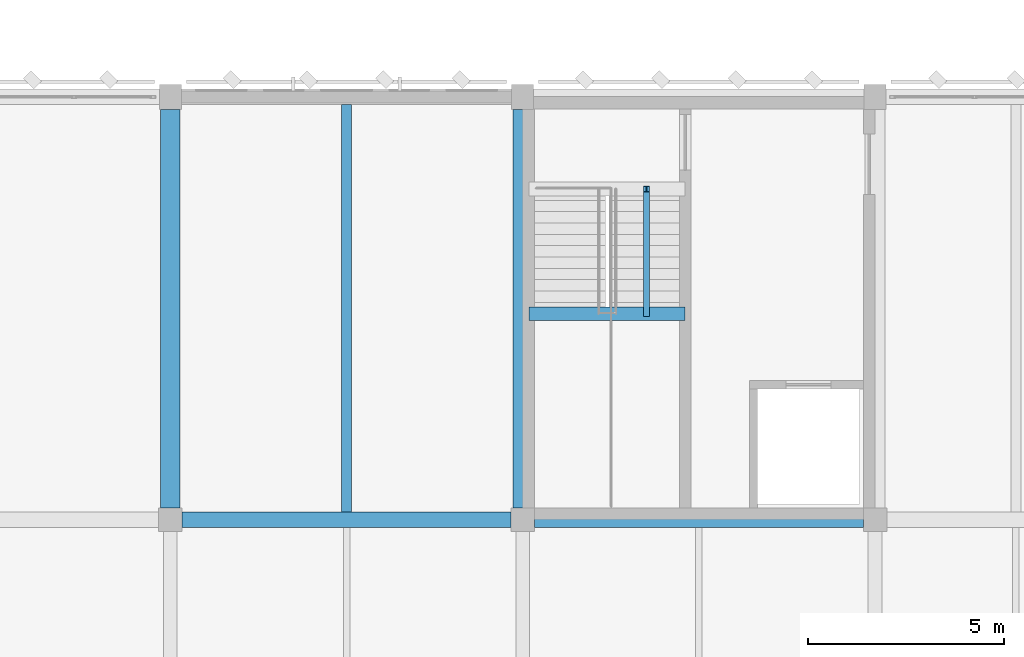
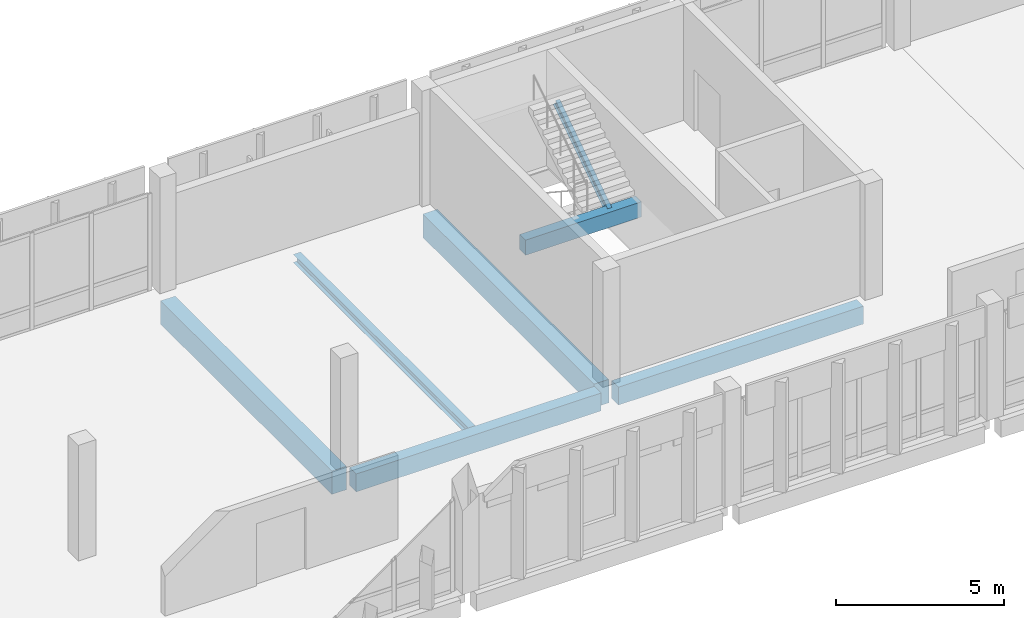
# One storey, part 66 of 158: 7 beams.
"""IFC4 building model written with IfcOpenShell, lengths in metres."""

from ifc_helpers import new_model, si_unit, direction, frame, origin, origin_2d, place, context, subcontext, project, spatial, rectangle, i_section, extrude, material, material_profile, profile_set, type_object, element, save


model = new_model("IFC4")

# Units and contexts
model_context = context("Model", 3, precision=1e-05, world=origin(), true_north=direction((0.0, 1.0)))
body_context = subcontext(model_context, "Body", "Model", "MODEL_VIEW")
ifc_project = project(units=[si_unit("LENGTHUNIT", "METRE"), si_unit("AREAUNIT", "SQUARE_METRE"), si_unit("VOLUMEUNIT", "CUBIC_METRE"), si_unit("PLANEANGLEUNIT", "RADIAN"), si_unit("MASSUNIT", "GRAM", prefix="KILO")], contexts=[model_context])

# Site, building, storey
site_placement = place(None, origin())
site = spatial("IfcSite", under=ifc_project, at=site_placement, CompositionType="ELEMENT")
building_placement = place(site_placement, origin())
building = spatial("IfcBuilding", under=site, at=building_placement, Name="Lusvemor Sports Hall", CompositionType="ELEMENT")
storey_placement = place(building_placement, frame((0.0, 0.0, 10.800048828125)))
storey = spatial("IfcBuildingStorey", under=building, at=storey_placement, Name="L02", CompositionType="ELEMENT", Elevation=10.800048828125)

# Beams
ifc_material_1 = material(Name="Concrete C40/50", Category="concrete")
ifc_material_profile_1 = material_profile(ifc_material_1, rectangle(XDim=0.35009765625, YDim=0.550048828125, at=origin_2d()), Name="RC350x550")
ifc_profile_set_1 = profile_set([ifc_material_profile_1], Name="Concrete C40/50")
beam_type_1 = type_object("IfcBeamType", Name="BEAM_RC_550", PredefinedType="BEAM", material=ifc_profile_set_1)
beam_1_placement = place(storey_placement, frame((102.760009765625, 109.659912109375, 1.64501953125), z_axis=(1.0, 0.0, 0.0), x_axis=(0.0, 1.0, 0.0)))
element("IfcBeam", 1, at=beam_1_placement, inside=storey, type_object=beam_type_1, Name="Stair STR-C4-L02 Mid-Landing Beam", PredefinedType="BEAM", context=body_context, shape_type="SweptSolid", body=[
    extrude(rectangle(XDim=0.35009765625, YDim=0.550048828125, at=origin_2d()), origin(), (0.0, 0.0, 1.0), 3.97998046875),
])
ifc_material_2 = material(Name="Concrete C40/50", Category="concrete")
ifc_material_profile_2 = material_profile(ifc_material_2, rectangle(XDim=0.39990234375, YDim=0.64990234375, at=origin_2d()), Name="RC400x650")
ifc_profile_set_2 = profile_set([ifc_material_profile_2], Name="Concrete C40/50")
beam_type_2 = type_object("IfcBeamType", Name="BEAM_RC_650", PredefinedType="BEAM", material=ifc_profile_set_2)
for number, where, z_axis, x_axis, name in (
    (2, (93.89599609375, 104.39990234375, -0.5849609375), (1.0, 0.0, 0.0), (0.0, 1.0, 0.0), "Beam L02 P:10-11"),
    (3, (102.89599609375, 104.39990234375, -0.5849609375), (1.0, 0.0, 0.0), (0.0, 1.0, 0.0), "Beam L02 P:11-12"),
):
    element("IfcBeam", number, at=place(storey_placement, frame(where, z_axis=z_axis, x_axis=x_axis)), inside=storey, type_object=beam_type_2, Name=name, PredefinedType="BEAM", context=body_context, shape_type="SweptSolid", body=[
        extrude(rectangle(XDim=0.39990234375, YDim=0.64990234375, at=origin_2d()), origin(), (0.0, 0.0, 1.0), 8.407958984375),
    ])
ifc_material_3 = material(Name="Concrete C40/50", Category="concrete")
ifc_material_profile_3 = material_profile(ifc_material_3, rectangle(XDim=0.5, YDim=0.85009765625, at=origin_2d()), Name="RC500x850")
ifc_profile_set_3 = profile_set([ifc_material_profile_3], Name="Concrete C40/50")
beam_type_3 = type_object("IfcBeamType", Name="GIRD_RC_850", PredefinedType="T_BEAM", material=ifc_profile_set_3)
for number, where, z_axis, x_axis, name in (
    (4, (93.60009765625, 104.696044921875, -0.68505859375), (0.0, 1.0, 0.0), (-1.0, 0.0, 0.0), "Beam L02 10:P-Q"),
    (5, (102.60009765625, 104.696044921875, -0.68505859375), (0.0, 1.0, 0.0), (-1.0, 0.0, 0.0), "Beam L02 11:P-Q"),
):
    element("IfcBeam", number, at=place(storey_placement, frame(where, z_axis=z_axis, x_axis=x_axis)), inside=storey, type_object=beam_type_3, Name=name, PredefinedType="T_BEAM", context=body_context, shape_type="SweptSolid", body=[
        extrude(rectangle(XDim=0.5, YDim=0.85009765625, at=origin_2d()), origin(), (0.0, 0.0, 1.0), 10.18798828125),
    ])
ifc_material_4 = material(Name="Steel S355", Category="steel")
ifc_material_profile_4 = material_profile(ifc_material_4, i_section(OverallWidth=0.14794921875, OverallDepth=0.26611328125, WebThickness=0.007568359375, FlangeThickness=0.012939453125, FilletRadius=0.012939453125, at=origin_2d()), Name="W250x44.8")
ifc_profile_set_4 = profile_set([ifc_material_profile_4], Name="Steel S355")
beam_type_4 = type_object("IfcBeamType", Name="JOIST_ST_250M", PredefinedType="JOIST", material=ifc_profile_set_4)
beam_2_placement = place(storey_placement, frame((105.760009765625, 109.659912109375, 1.7548828125), z_axis=(0.0, 0.835261802243, 0.549852454495), x_axis=(-1.0, 0.0, 0.0)))
element("IfcBeam", 6, at=beam_2_placement, inside=storey, type_object=beam_type_4, Name="Stair STR-C4-L02 Flight 2 Stringer Beam", PredefinedType="JOIST", context=body_context, shape_type="SweptSolid", body=[
    extrude(i_section(OverallWidth=0.14794921875, OverallDepth=0.26611328125, WebThickness=0.007568359375, FlangeThickness=0.012939453125, FilletRadius=0.012939453125, at=origin_2d()), origin(), (0.0, 0.0, 1.0), 3.8193359375),
])
ifc_material_5 = material(Name="Steel S355", Category="steel")
ifc_material_profile_5 = material_profile(ifc_material_5, i_section(OverallWidth=0.25390625, OverallDepth=0.305908203125, WebThickness=0.0087890625, FlangeThickness=0.0146484375, FilletRadius=0.014892578125, at=origin_2d()), Name="W310x79.0")
ifc_profile_set_5 = profile_set([ifc_material_profile_5], Name="Steel S355")
beam_type_5 = type_object("IfcBeamType", Name="JOIST_ST_310H", PredefinedType="JOIST", material=ifc_profile_set_5)
beam_3_placement = place(storey_placement, frame((98.10009765625, 104.595947265625, -0.4169921875), z_axis=(0.0, 1.0, 0.0), x_axis=(-1.0, 0.0, 0.0)))
element("IfcBeam", 7, at=beam_3_placement, inside=storey, type_object=beam_type_5, Name="Secondary Joist L02 10-11/P-Q #1", PredefinedType="JOIST", context=body_context, shape_type="SweptSolid", body=[
    extrude(i_section(OverallWidth=0.25390625, OverallDepth=0.305908203125, WebThickness=0.0087890625, FlangeThickness=0.0146484375, FilletRadius=0.014892578125, at=origin_2d()), origin(), (0.0, 0.0, 1.0), 10.407958984375),
])

save(model, "model.ifc")
